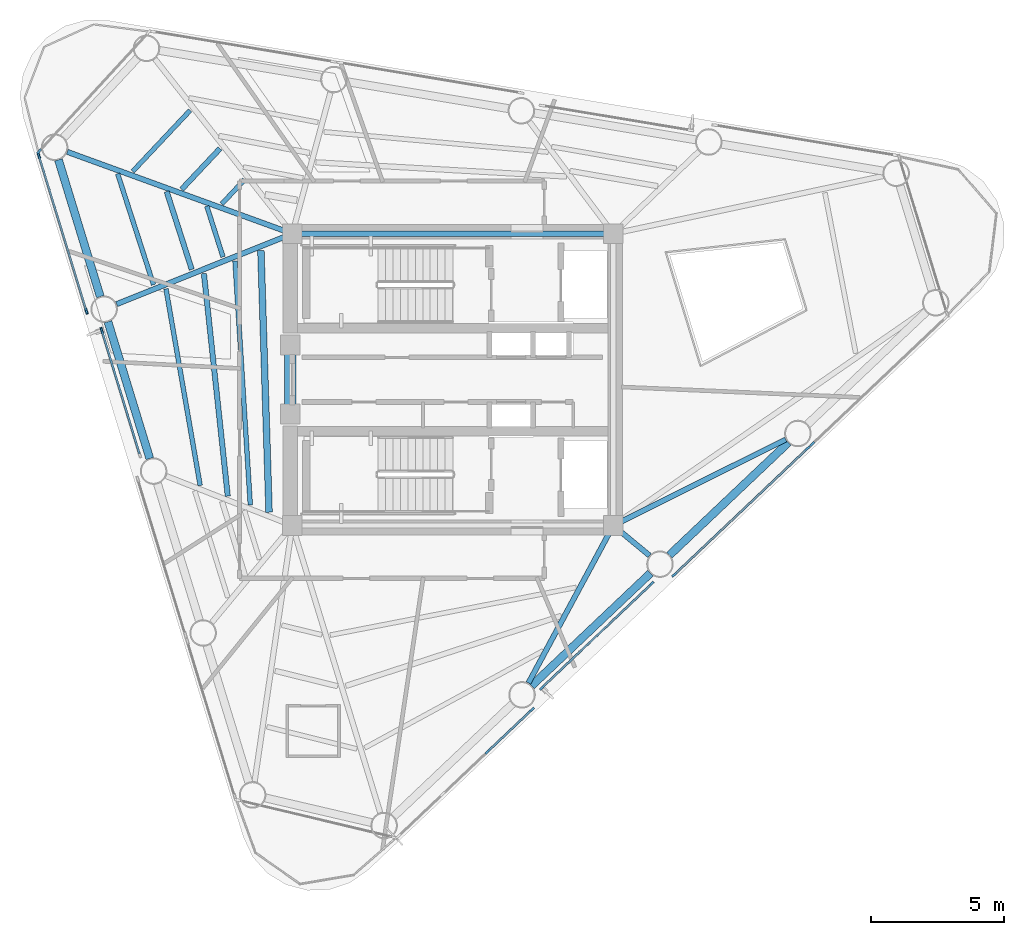
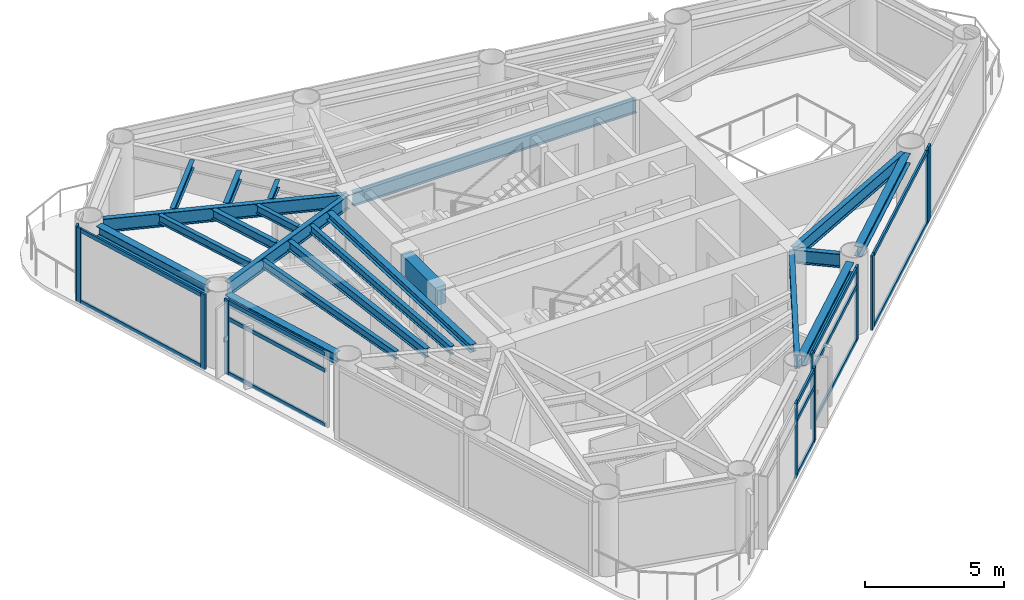
# One storey, part 2 of 9: 24 members, 21 beams, 7 elements without a shape of their own.
"""IFC4 building model written with IfcOpenShell, lengths in metres."""

from ifc_helpers import new_model, si_unit, direction, frame, origin, origin_2d, place, context, subcontext, project, spatial, rectangle, i_section, extrude, source, transform, mapped, material, layer, layer_set, material_profile, profile_set, type_object, element, aggregate, save


model = new_model("IFC4")

# Units and contexts
model_context = context("Model", 3, precision=1e-05, world=origin(), true_north=direction((0.0, 1.0)))
body_context = subcontext(model_context, "Body", "Model", "MODEL_VIEW")
ifc_project = project(units=[si_unit("LENGTHUNIT", "METRE"), si_unit("AREAUNIT", "SQUARE_METRE"), si_unit("VOLUMEUNIT", "CUBIC_METRE"), si_unit("PLANEANGLEUNIT", "RADIAN"), si_unit("MASSUNIT", "GRAM", prefix="KILO")], contexts=[model_context])

# Site, building, storey
site_placement = place(None, origin())
site = spatial("IfcSite", under=ifc_project, at=site_placement, CompositionType="ELEMENT")
building_placement = place(site_placement, origin())
building = spatial("IfcBuilding", under=site, at=building_placement, Name="Yunling Apex Tower", CompositionType="ELEMENT")
storey_placement = place(building_placement, frame((0.0, 0.0, 228.64990234375)))
storey = spatial("IfcBuildingStorey", under=building, at=storey_placement, Name="L55", CompositionType="ELEMENT", Elevation=228.64990234375)

# Beams
ifc_material_1 = material(Name="Concrete C40", Category="concrete")
ifc_material_profile_1 = material_profile(ifc_material_1, rectangle(XDim=0.449951171875, YDim=0.800048828125, at=origin_2d()))
ifc_profile_set_1 = profile_set([ifc_material_profile_1], Name="Concrete C40")
beam_type_1 = type_object("IfcBeamType", Name="BC-CPL-3", PredefinedType="BEAM", material=ifc_profile_set_1)
shared_shape_1 = source(origin(), body_context, "Body", "SweptSolid", [
    extrude(rectangle(XDim=0.449951171875, YDim=0.800048828125, at=origin_2d()), origin(), (0.0, 0.0, 1.0), 2.5),
])
beam_1_placement = place(storey_placement, frame((-6.125, -1.25, 2.820068359375), z_axis=(0.0, 1.0, 0.0), x_axis=(-1.0, 0.0, 0.0)))
element("IfcBeam", 1, at=beam_1_placement, inside=storey, type_object=beam_type_1, Name="L55 Core West Portal Coupling Beam", PredefinedType="BEAM", context=body_context, shape_type="MappedRepresentation", body=[
    mapped(shared_shape_1, transform((0.0, 0.0, 0.0), scale=1.0)),
])
ifc_material_2 = material(Name="Steel Q355B", Category="steel")
ifc_material_profile_2 = material_profile(ifc_material_2, i_section(OverallWidth=0.199951171875, OverallDepth=0.60009765625, WebThickness=0.010986328125, FlangeThickness=0.01708984375, FilletRadius=0.02197265625, at=origin_2d()))
ifc_profile_set_2 = profile_set([ifc_material_profile_2], Name="Steel Q355B")
beam_type_2 = type_object("IfcBeamType", Name="BG-PRI-5", PredefinedType="USERDEFINED", material=ifc_profile_set_2)
shared_shape_2 = source(origin(), body_context, "Body", "SweptSolid", [
    extrude(i_section(OverallWidth=0.199951171875, OverallDepth=0.60009765625, WebThickness=0.010986328125, FlangeThickness=0.01708984375, FilletRadius=0.02197265625, at=origin_2d()), origin(), (0.0, 0.0, 1.0), 11.7998046875),
])
beam_2_placement = place(storey_placement, frame((5.89990234375, 5.5, 2.920166015625), z_axis=(-1.0, 0.0, 0.0), x_axis=(0.0, -1.0, 0.0)))
element("IfcBeam", 2, at=beam_2_placement, inside=storey, type_object=beam_type_2, Name="L55 Core Ring Tie Beam 3", ObjectType="GIRDER", PredefinedType="USERDEFINED", context=body_context, shape_type="MappedRepresentation", body=[
    mapped(shared_shape_2, transform((0.0, 0.0, 0.0), scale=1.0)),
])
ifc_material_profile_3 = material_profile(ifc_material_2, i_section(OverallWidth=0.300048828125, OverallDepth=0.43994140625, WebThickness=0.010986328125, FlangeThickness=0.01806640625, FilletRadius=0.02197265625, at=origin_2d()))
ifc_profile_set_3 = profile_set([ifc_material_profile_3], Name="Steel Q355B")
beam_type_3 = type_object("IfcBeamType", Name="BP-SPN-3", PredefinedType="SPANDREL", material=ifc_profile_set_3)
shared_shape_3 = source(origin(), body_context, "Body", "SweptSolid", [
    extrude(i_section(OverallWidth=0.300048828125, OverallDepth=0.43994140625, WebThickness=0.010986328125, FlangeThickness=0.01806640625, FilletRadius=0.02197265625, at=origin_2d()), origin(), (0.0, 0.0, 1.0), 6.17333984375),
])
beam_3_placement = place(storey_placement, frame((8.16748046875, -6.6162109375, 3.0), z_axis=(0.725853952128, 0.687848849807, 0.0), x_axis=(-0.687848849807, 0.725853952128, 0.0)))
element("IfcBeam", 3, at=beam_3_placement, inside=storey, type_object=beam_type_3, Name="L55 Perimeter Spandrel Beam 3", PredefinedType="SPANDREL", context=body_context, shape_type="MappedRepresentation", body=[
    mapped(shared_shape_3, transform((0.0, 0.0, 0.0), scale=1.0)),
])
shared_shape_4 = source(origin(), body_context, "Body", "SweptSolid", [
    extrude(i_section(OverallWidth=0.300048828125, OverallDepth=0.43994140625, WebThickness=0.010986328125, FlangeThickness=0.01806640625, FilletRadius=0.02197265625, at=origin_2d()), origin(), (0.0, 0.0, 1.0), 6.173095703125),
])
beam_4_placement = place(storey_placement, frame((2.969482421875, -11.5419921875, 3.0), z_axis=(0.725873697531, 0.687828012829, 0.0), x_axis=(-0.687828012829, 0.725873697531, 0.0)))
element("IfcBeam", 4, at=beam_4_placement, inside=storey, type_object=beam_type_3, Name="L55 Perimeter Spandrel Beam 2", PredefinedType="SPANDREL", context=body_context, shape_type="MappedRepresentation", body=[
    mapped(shared_shape_4, transform((0.0, 0.0, 0.0), scale=1.0)),
])
shared_shape_5 = source(origin(), body_context, "Body", "SweptSolid", [
    extrude(i_section(OverallWidth=0.300048828125, OverallDepth=0.43994140625, WebThickness=0.010986328125, FlangeThickness=0.01806640625, FilletRadius=0.02197265625, at=origin_2d()), origin(), (0.0, 0.0, 1.0), 5.39404296875),
])
for number, where, z_axis, x_axis, name in (
    (5, (-14.863037109375, 8.286376953125, 3.0), (0.292393318538, -0.956298147689, 0.0), (0.956298147689, 0.292393318538, 0.0), "L55 Perimeter Spandrel Beam 11"),
    (6, (-12.997314453125, 2.183349609375, 3.0), (0.292380663083, -0.956302017072, 0.0), (0.956302017072, 0.292380663083, 0.0), "L55 Perimeter Spandrel Beam 12"),
):
    element("IfcBeam", number, at=place(storey_placement, frame(where, z_axis=z_axis, x_axis=x_axis)), inside=storey, type_object=beam_type_3, Name=name, PredefinedType="SPANDREL", context=body_context, shape_type="MappedRepresentation", body=[
        mapped(shared_shape_5, transform((0.0, 0.0, 0.0), scale=1.0)),
    ])
shared_shape_6 = source(origin(), body_context, "Body", "SweptSolid", [
    extrude(i_section(OverallWidth=0.199951171875, OverallDepth=0.60009765625, WebThickness=0.010986328125, FlangeThickness=0.01708984375, FilletRadius=0.02197265625, at=origin_2d()), origin(), (0.0, 0.0, 1.0), 6.661865234375),
])
beam_5_placement = place(storey_placement, frame((2.851806640625, -11.434814453125, 2.920166015625), z_axis=(0.474372979845, 0.88032396082, 0.0), x_axis=(-0.88032396082, 0.474372979845, 0.0)))
element("IfcBeam", 7, at=beam_5_placement, inside=storey, type_object=beam_type_2, Name="L55 Radial Primary Girder R02", ObjectType="GIRDER", PredefinedType="USERDEFINED", context=body_context, shape_type="MappedRepresentation", body=[
    mapped(shared_shape_6, transform((0.0, 0.0, 0.0), scale=1.0)),
])
shared_shape_7 = source(origin(), body_context, "Body", "SweptSolid", [
    extrude(i_section(OverallWidth=0.199951171875, OverallDepth=0.60009765625, WebThickness=0.010986328125, FlangeThickness=0.01708984375, FilletRadius=0.02197265625, at=origin_2d()), origin(), (0.0, 0.0, 1.0), 1.695556640625),
])
beam_6_placement = place(storey_placement, frame((7.417724609375, -6.632080078125, 2.920166015625), z_axis=(-0.770365054174, 0.637603076614, 0.0), x_axis=(-0.637603076614, -0.770365054174, 0.0)))
element("IfcBeam", 8, at=beam_6_placement, inside=storey, type_object=beam_type_2, Name="L55 Radial Primary Girder R03", ObjectType="GIRDER", PredefinedType="USERDEFINED", context=body_context, shape_type="MappedRepresentation", body=[
    mapped(shared_shape_7, transform((0.0, 0.0, 0.0), scale=1.0)),
])
shared_shape_8 = source(origin(), body_context, "Body", "SweptSolid", [
    extrude(i_section(OverallWidth=0.199951171875, OverallDepth=0.60009765625, WebThickness=0.010986328125, FlangeThickness=0.01708984375, FilletRadius=0.02197265625, at=origin_2d()), origin(), (0.0, 0.0, 1.0), 7.1865234375),
])
beam_7_placement = place(storey_placement, frame((12.552490234375, -2.256591796875, 2.920166015625), z_axis=(-0.894854827722, -0.446357297803, 0.0), x_axis=(0.446357297803, -0.894854827722, 0.0)))
element("IfcBeam", 9, at=beam_7_placement, inside=storey, type_object=beam_type_2, Name="L55 Radial Primary Girder R04", ObjectType="GIRDER", PredefinedType="USERDEFINED", context=body_context, shape_type="MappedRepresentation", body=[
    mapped(shared_shape_8, transform((0.0, 0.0, 0.0), scale=1.0)),
])
shared_shape_9 = source(origin(), body_context, "Body", "SweptSolid", [
    extrude(i_section(OverallWidth=0.199951171875, OverallDepth=0.60009765625, WebThickness=0.010986328125, FlangeThickness=0.01708984375, FilletRadius=0.02197265625, at=origin_2d()), origin(), (0.0, 0.0, 1.0), 8.943603515625),
])
beam_8_placement = place(storey_placement, frame((-14.530029296875, 8.5849609375, 2.920166015625), z_axis=(0.939745593755, -0.341874566205, 0.0), x_axis=(0.341874566205, 0.939745593755, 0.0)))
element("IfcBeam", 10, at=beam_8_placement, inside=storey, type_object=beam_type_2, Name="L55 Radial Primary Girder R11", ObjectType="GIRDER", PredefinedType="USERDEFINED", context=body_context, shape_type="MappedRepresentation", body=[
    mapped(shared_shape_9, transform((0.0, 0.0, 0.0), scale=1.0)),
])
shared_shape_10 = source(origin(), body_context, "Body", "SweptSolid", [
    extrude(i_section(OverallWidth=0.199951171875, OverallDepth=0.60009765625, WebThickness=0.010986328125, FlangeThickness=0.01708984375, FilletRadius=0.02197265625, at=origin_2d()), origin(), (0.0, 0.0, 1.0), 7.052734375),
])
beam_9_placement = place(storey_placement, frame((-12.670166015625, 2.8447265625, 2.920166015625), z_axis=(0.928127733356, 0.372261884399, 0.0), x_axis=(-0.372261884399, 0.928127733356, 0.0)))
element("IfcBeam", 11, at=beam_9_placement, inside=storey, type_object=beam_type_2, Name="L55 Radial Primary Girder R12", ObjectType="GIRDER", PredefinedType="USERDEFINED", context=body_context, shape_type="MappedRepresentation", body=[
    mapped(shared_shape_10, transform((0.0, 0.0, 0.0), scale=1.0)),
])
ifc_material_profile_4 = material_profile(ifc_material_2, i_section(OverallWidth=0.199951171875, OverallDepth=0.39990234375, WebThickness=0.008056640625, FlangeThickness=0.012939453125, FilletRadius=0.01611328125, at=origin_2d()))
ifc_profile_set_4 = profile_set([ifc_material_profile_4], Name="Steel Q355B")
beam_type_4 = type_object("IfcBeamType", Name="BS-SEC-4", PredefinedType="BEAM", material=ifc_profile_set_4)
shared_shape_11 = source(origin(), body_context, "Body", "SweptSolid", [
    extrude(i_section(OverallWidth=0.199951171875, OverallDepth=0.39990234375, WebThickness=0.008056640625, FlangeThickness=0.012939453125, FilletRadius=0.01611328125, at=origin_2d()), origin(), (0.0, 0.0, 1.0), 2.108154296875),
])
beam_10_placement = place(storey_placement, frame((-8.774169921875, 8.708984375, 3.02001953125), z_axis=(-0.684880497063, -0.728655408779, 0.0), x_axis=(0.728655408779, -0.684880497063, 0.0)))
element("IfcBeam", 12, at=beam_10_placement, inside=storey, type_object=beam_type_4, Name="L55 Composite Floor Beam BS-10", PredefinedType="BEAM", context=body_context, shape_type="MappedRepresentation", body=[
    mapped(shared_shape_11, transform((0.0, 0.0, 0.0), scale=1.0)),
])
ifc_material_profile_5 = material_profile(ifc_material_2, i_section(OverallWidth=0.175048828125, OverallDepth=0.35009765625, WebThickness=0.007080078125, FlangeThickness=0.010986328125, FilletRadius=0.013916015625, at=origin_2d()))
ifc_profile_set_5 = profile_set([ifc_material_profile_5], Name="Steel Q355B")
beam_type_5 = type_object("IfcBeamType", Name="BJ-JST-1", PredefinedType="JOIST", material=ifc_profile_set_5)
shared_shape_12 = source(origin(), body_context, "Body", "SweptSolid", [
    extrude(i_section(OverallWidth=0.175048828125, OverallDepth=0.35009765625, WebThickness=0.007080078125, FlangeThickness=0.010986328125, FilletRadius=0.013916015625, at=origin_2d()), origin(), (0.0, 0.0, 1.0), 3.157470703125),
])
beam_11_placement = place(storey_placement, frame((-9.903076171875, 10.14453125, 3.045166015625), z_axis=(-0.685403289292, -0.728163670494, 0.0), x_axis=(0.728163670494, -0.685403289292, 0.0)))
element("IfcBeam", 13, at=beam_11_placement, inside=storey, type_object=beam_type_5, Name="L55 Composite Floor Joist BJ1-10", PredefinedType="JOIST", context=body_context, shape_type="MappedRepresentation", body=[
    mapped(shared_shape_12, transform((0.0, 0.0, 0.0), scale=1.0)),
])
shared_shape_13 = source(origin(), body_context, "Body", "SweptSolid", [
    extrude(i_section(OverallWidth=0.175048828125, OverallDepth=0.35009765625, WebThickness=0.007080078125, FlangeThickness=0.010986328125, FilletRadius=0.013916015625, at=origin_2d()), origin(), (0.0, 0.0, 1.0), 1.249755859375),
])
beam_12_placement = place(storey_placement, frame((-7.8505859375, 7.5341796875, 3.045166015625), z_axis=(-0.683980120085, -0.729500647929, 0.0), x_axis=(0.729500647929, -0.683980120085, 0.0)))
element("IfcBeam", 14, at=beam_12_placement, inside=storey, type_object=beam_type_5, Name="L55 Composite Floor Joist BJ3-10", PredefinedType="JOIST", context=body_context, shape_type="MappedRepresentation", body=[
    mapped(shared_shape_13, transform((0.0, 0.0, 0.0), scale=1.0)),
])
shared_shape_14 = source(origin(), body_context, "Body", "SweptSolid", [
    extrude(i_section(OverallWidth=0.199951171875, OverallDepth=0.39990234375, WebThickness=0.008056640625, FlangeThickness=0.012939453125, FilletRadius=0.01611328125, at=origin_2d()), origin(), (0.0, 0.0, 1.0), 3.083251953125),
])
beam_13_placement = place(storey_placement, frame((-10.782958984375, 7.08740234375, 3.02001953125), z_axis=(0.306209104811, -0.951964276709, 0.0), x_axis=(0.951964276709, 0.306209104811, 0.0)))
element("IfcBeam", 15, at=beam_13_placement, inside=storey, type_object=beam_type_4, Name="L55 Composite Floor Beam BS-11", PredefinedType="BEAM", context=body_context, shape_type="MappedRepresentation", body=[
    mapped(shared_shape_14, transform((0.0, 0.0, 0.0), scale=1.0)),
])
shared_shape_15 = source(origin(), body_context, "Body", "SweptSolid", [
    extrude(i_section(OverallWidth=0.175048828125, OverallDepth=0.35009765625, WebThickness=0.007080078125, FlangeThickness=0.010986328125, FilletRadius=0.013916015625, at=origin_2d()), origin(), (0.0, 0.0, 1.0), 4.3984375),
])
beam_14_placement = place(storey_placement, frame((-12.6318359375, 7.760009765625, 3.045166015625), z_axis=(0.307505485962, -0.951546307913, 0.0), x_axis=(0.951546307913, 0.307505485962, 0.0)))
element("IfcBeam", 16, at=beam_14_placement, inside=storey, type_object=beam_type_5, Name="L55 Composite Floor Joist BJ1-11", PredefinedType="JOIST", context=body_context, shape_type="MappedRepresentation", body=[
    mapped(shared_shape_15, transform((0.0, 0.0, 0.0), scale=1.0)),
])
shared_shape_16 = source(origin(), body_context, "Body", "SweptSolid", [
    extrude(i_section(OverallWidth=0.175048828125, OverallDepth=0.35009765625, WebThickness=0.007080078125, FlangeThickness=0.010986328125, FilletRadius=0.013916015625, at=origin_2d()), origin(), (0.0, 0.0, 1.0), 2.0068359375),
])
beam_15_placement = place(storey_placement, frame((-9.2705078125, 6.536865234375, 3.045166015625), z_axis=(0.304011984445, -0.95266820736, 0.0), x_axis=(0.95266820736, 0.304011984445, 0.0)))
element("IfcBeam", 17, at=beam_15_placement, inside=storey, type_object=beam_type_5, Name="L55 Composite Floor Joist BJ3-11", PredefinedType="JOIST", context=body_context, shape_type="MappedRepresentation", body=[
    mapped(shared_shape_16, transform((0.0, 0.0, 0.0), scale=1.0)),
])
shared_shape_17 = source(origin(), body_context, "Body", "SweptSolid", [
    extrude(i_section(OverallWidth=0.199951171875, OverallDepth=0.39990234375, WebThickness=0.008056640625, FlangeThickness=0.012939453125, FilletRadius=0.01611328125, at=origin_2d()), origin(), (0.0, 0.0, 1.0), 8.439208984375),
])
beam_16_placement = place(storey_placement, frame((-9.380126953125, 3.998291015625, 3.02001953125), z_axis=(0.106576025189, -0.994304556389, 0.0), x_axis=(0.994304556389, 0.106576025189, 0.0)))
element("IfcBeam", 18, at=beam_16_placement, inside=storey, type_object=beam_type_4, Name="L55 Composite Floor Beam BS-12", PredefinedType="BEAM", context=body_context, shape_type="MappedRepresentation", body=[
    mapped(shared_shape_17, transform((0.0, 0.0, 0.0), scale=1.0)),
])
shared_shape_18 = source(origin(), body_context, "Body", "SweptSolid", [
    extrude(i_section(OverallWidth=0.175048828125, OverallDepth=0.35009765625, WebThickness=0.007080078125, FlangeThickness=0.010986328125, FilletRadius=0.013916015625, at=origin_2d()), origin(), (0.0, 0.0, 1.0), 7.523681640625),
])
beam_17_placement = place(storey_placement, frame((-10.809814453125, 3.42236328125, 3.045166015625), z_axis=(0.171367194042, -0.985207229372, 0.0), x_axis=(0.985207229372, 0.171367194042, 0.0)))
element("IfcBeam", 19, at=beam_17_placement, inside=storey, type_object=beam_type_5, Name="L55 Composite Floor Joist BJ1-12", PredefinedType="JOIST", context=body_context, shape_type="MappedRepresentation", body=[
    mapped(shared_shape_18, transform((0.0, 0.0, 0.0), scale=1.0)),
])
shared_shape_19 = source(origin(), body_context, "Body", "SweptSolid", [
    extrude(i_section(OverallWidth=0.175048828125, OverallDepth=0.35009765625, WebThickness=0.007080078125, FlangeThickness=0.010986328125, FilletRadius=0.013916015625, at=origin_2d()), origin(), (0.0, 0.0, 1.0), 9.211669921875),
])
beam_18_placement = place(storey_placement, frame((-8.208984375, 4.470458984375, 3.045166015625), z_axis=(0.062680234959, -0.998033660828, 0.0), x_axis=(0.998033660828, 0.062680234959, 0.0)))
element("IfcBeam", 20, at=beam_18_placement, inside=storey, type_object=beam_type_5, Name="L55 Composite Floor Joist BJ3-12", PredefinedType="JOIST", context=body_context, shape_type="MappedRepresentation", body=[
    mapped(shared_shape_19, transform((0.0, 0.0, 0.0), scale=1.0)),
])
ifc_material_profile_6 = material_profile(ifc_material_2, i_section(OverallWidth=0.25, OverallDepth=0.340087890625, WebThickness=0.009033203125, FlangeThickness=0.013916015625, FilletRadius=0.01806640625, at=origin_2d()))
ifc_profile_set_6 = profile_set([ifc_material_profile_6], Name="Steel Q355B")
beam_type_6 = type_object("IfcBeamType", Name="BJ-JST-2", PredefinedType="JOIST", material=ifc_profile_set_6)
shared_shape_20 = source(origin(), body_context, "Body", "SweptSolid", [
    extrude(i_section(OverallWidth=0.25, OverallDepth=0.340087890625, WebThickness=0.009033203125, FlangeThickness=0.013916015625, FilletRadius=0.01806640625, at=origin_2d()), origin(), (0.0, 0.0, 1.0), 9.867431640625),
])
beam_19_placement = place(storey_placement, frame((-7.232177734375, 4.864013671875, 3.050048828125), z_axis=(0.03115055603, -0.999514703673, 0.0), x_axis=(0.999514703673, 0.03115055603, 0.0)))
element("IfcBeam", 21, at=beam_19_placement, inside=storey, type_object=beam_type_6, Name="L55 Composite Floor Joist BJ2-12", PredefinedType="JOIST", context=body_context, shape_type="MappedRepresentation", body=[
    mapped(shared_shape_20, transform((0.0, 0.0, 0.0), scale=1.0)),
])

# Curtain wall, members
ifc_material_3 = material(Name="Bronze anodised aluminium", Category="aluminium")
ifc_layer = layer(ifc_material_3, 0.219970703125)
ifc_layer_set = layer_set([ifc_layer], Name="Bronze anodised aluminium")
curtain_wall_type = type_object("IfcCurtainWallType", Name="CW-SYS-4", PredefinedType="NOTDEFINED", material=ifc_layer_set)
curtain_wall_1_placement = place(storey_placement, origin())
curtain_wall_1 = element("IfcCurtainWall", 22, at=curtain_wall_1_placement, inside=storey, type_object=curtain_wall_type, Name="CW-L55-F1-B1", PredefinedType="NOTDEFINED")
ifc_material_profile_7 = material_profile(ifc_material_3, rectangle(XDim=0.080078125, YDim=0.219970703125, at=origin_2d()))
ifc_profile_set_7 = profile_set([ifc_material_profile_7], Name="Bronze anodised aluminium")
member_type_1 = type_object("IfcMemberType", Name="CW-MUL-4", PredefinedType="MULLION", material=ifc_profile_set_7)
shared_shape_21 = source(origin(), body_context, "Body", "SweptSolid", [
    extrude(rectangle(XDim=0.080078125, YDim=0.219970703125, at=origin_2d()), origin(), (0.0, 0.0, 1.0), 3.31982421875),
])
member_1_placement = place(storey_placement, frame((1.312744140625, -14.021240234375, -0.0498046875), z_axis=(0.0, 0.0, 1.0), x_axis=(-0.687848040467, 0.72585471909, 0.0)))
member_1 = element("IfcMember", 23, at=member_1_placement, type_object=member_type_1, Name="CW-SYS-4 mullion 3", PredefinedType="MULLION", context=body_context, shape_type="MappedRepresentation", body=[
    mapped(shared_shape_21, transform((0.0, 0.0, 0.0), scale=1.0)),
])
member_2_placement = place(storey_placement, frame((2.977783203125, -12.443603515625, -0.0498046875), z_axis=(0.0, 0.0, 1.0), x_axis=(-0.687848040467, 0.72585471909, 0.0)))
member_2 = element("IfcMember", 24, at=member_2_placement, type_object=member_type_1, Name="CW-SYS-4 mullion 4", PredefinedType="MULLION", context=body_context, shape_type="MappedRepresentation", body=[
    mapped(shared_shape_21, transform((0.0, 0.0, 0.0), scale=1.0)),
])

curtain_wall_2_placement = place(storey_placement, origin())
curtain_wall_2 = element("IfcCurtainWall", 25, at=curtain_wall_2_placement, inside=storey, type_object=curtain_wall_type, Name="CW-L55-F1-B2", PredefinedType="NOTDEFINED")
member_3_placement = place(storey_placement, frame((3.367919921875, -11.605224609375, -0.0498046875), z_axis=(0.0, 0.0, 1.0), x_axis=(-0.687854406681, 0.725848686167, 0.0)))
member_3 = element("IfcMember", 26, at=member_3_placement, type_object=member_type_1, Name="CW-SYS-4 mullion 1", PredefinedType="MULLION", context=body_context, shape_type="MappedRepresentation", body=[
    mapped(shared_shape_21, transform((0.0, 0.0, 0.0), scale=1.0)),
])
member_4_placement = place(storey_placement, frame((7.491943359375, -7.697265625, -0.0498046875), z_axis=(0.0, 0.0, 1.0), x_axis=(-0.687854406681, 0.725848686167, 0.0)))
member_4 = element("IfcMember", 27, at=member_4_placement, type_object=member_type_1, Name="CW-SYS-4 mullion 2", PredefinedType="MULLION", context=body_context, shape_type="MappedRepresentation", body=[
    mapped(shared_shape_21, transform((0.0, 0.0, 0.0), scale=1.0)),
])

curtain_wall_3_placement = place(storey_placement, origin())
curtain_wall_3 = element("IfcCurtainWall", 28, at=curtain_wall_3_placement, inside=storey, type_object=curtain_wall_type, Name="CW-L55-F1-B3", PredefinedType="NOTDEFINED")
member_5_placement = place(storey_placement, frame((8.35009765625, -7.3525390625, -0.0498046875), z_axis=(0.0, 0.0, 1.0), x_axis=(-0.687848040467, 0.72585471909, 0.0)))
member_5 = element("IfcMember", 29, at=member_5_placement, type_object=member_type_1, Name="CW-SYS-4 mullion 1", PredefinedType="MULLION", context=body_context, shape_type="MappedRepresentation", body=[
    mapped(shared_shape_21, transform((0.0, 0.0, 0.0), scale=1.0)),
])
member_6_placement = place(storey_placement, frame((13.3740234375, -2.591552734375, -0.0498046875), z_axis=(0.0, 0.0, 1.0), x_axis=(-0.687848040467, 0.72585471909, 0.0)))
member_6 = element("IfcMember", 30, at=member_6_placement, type_object=member_type_1, Name="CW-SYS-4 mullion 2", PredefinedType="MULLION", context=body_context, shape_type="MappedRepresentation", body=[
    mapped(shared_shape_21, transform((0.0, 0.0, 0.0), scale=1.0)),
])

# Curtain wall, member
curtain_wall_4_placement = place(storey_placement, origin())
curtain_wall_4 = element("IfcCurtainWall", 31, at=curtain_wall_4_placement, inside=storey, type_object=curtain_wall_type, Name="CW-L55-F1-B4", PredefinedType="NOTDEFINED")
member_7_placement = place(storey_placement, frame((13.54833984375, -2.426513671875, -0.0498046875), z_axis=(0.0, 0.0, 1.0), x_axis=(-0.687848040467, 0.72585471909, 0.0)))
member_7 = element("IfcMember", 32, at=member_7_placement, type_object=member_type_1, Name="CW-SYS-4 mullion 1", PredefinedType="MULLION", context=body_context, shape_type="MappedRepresentation", body=[
    mapped(shared_shape_21, transform((0.0, 0.0, 0.0), scale=1.0)),
])
aggregate(curtain_wall_4, [member_7])

curtain_wall_5_placement = place(storey_placement, origin())
curtain_wall_5 = element("IfcCurtainWall", 33, at=curtain_wall_5_placement, inside=storey, type_object=curtain_wall_type, Name="CW-L55-CRN2", PredefinedType="NOTDEFINED")
member_8_placement = place(storey_placement, frame((-15.592529296875, 8.60107421875, -0.0498046875), z_axis=(0.0, 0.0, 1.0), x_axis=(0.736133922549, -0.676835909266, 0.0)))
member_8 = element("IfcMember", 34, at=member_8_placement, type_object=member_type_1, Name="CW-SYS-4 mullion 2", PredefinedType="MULLION", context=body_context, shape_type="MappedRepresentation", body=[
    mapped(shared_shape_21, transform((0.0, 0.0, 0.0), scale=1.0)),
])
aggregate(curtain_wall_5, [member_8])

# Curtain wall, members
curtain_wall_6_placement = place(storey_placement, origin())
curtain_wall_6 = element("IfcCurtainWall", 35, at=curtain_wall_6_placement, inside=storey, type_object=curtain_wall_type, Name="CW-L55-F3-B1", PredefinedType="NOTDEFINED")
member_9_placement = place(storey_placement, frame((-15.603515625, 8.450927734375, -0.0498046875), z_axis=(0.0, 0.0, 1.0), x_axis=(0.956304646078, 0.29237206414, 0.0)))
member_9 = element("IfcMember", 36, at=member_9_placement, type_object=member_type_1, Name="CW-SYS-4 mullion 1", PredefinedType="MULLION", context=body_context, shape_type="MappedRepresentation", body=[
    mapped(shared_shape_21, transform((0.0, 0.0, 0.0), scale=1.0)),
])
member_10_placement = place(storey_placement, frame((-13.807861328125, 2.577392578125, -0.0498046875), z_axis=(0.0, 0.0, 1.0), x_axis=(0.956304646078, 0.29237206414, 0.0)))
member_10 = element("IfcMember", 37, at=member_10_placement, type_object=member_type_1, Name="CW-SYS-4 mullion 2", PredefinedType="MULLION", context=body_context, shape_type="MappedRepresentation", body=[
    mapped(shared_shape_21, transform((0.0, 0.0, 0.0), scale=1.0)),
])

# Curtain wall, member
curtain_wall_7_placement = place(storey_placement, origin())
curtain_wall_7 = element("IfcCurtainWall", 38, at=curtain_wall_7_placement, inside=storey, type_object=curtain_wall_type, Name="CW-L55-F3-B2", PredefinedType="NOTDEFINED")
member_11_placement = place(storey_placement, frame((-13.231201171875, 1.8544921875, -0.0498046875), z_axis=(0.0, 0.0, 1.0), x_axis=(0.956304345474, 0.29237304737, 0.0)))
member_11 = element("IfcMember", 39, at=member_11_placement, type_object=member_type_1, Name="CW-SYS-4 mullion 1", PredefinedType="MULLION", context=body_context, shape_type="MappedRepresentation", body=[
    mapped(shared_shape_21, transform((0.0, 0.0, 0.0), scale=1.0)),
])

# Member
ifc_material_profile_8 = material_profile(ifc_material_3, rectangle(XDim=0.080078125, YDim=0.169921875, at=origin_2d()))
ifc_profile_set_8 = profile_set([ifc_material_profile_8], Name="Bronze anodised aluminium")
member_type_2 = type_object("IfcMemberType", Name="CW-TRN-4", PredefinedType="USERDEFINED", material=ifc_profile_set_8)
shared_shape_22 = source(origin(), body_context, "Body", "SweptSolid", [
    extrude(rectangle(XDim=0.080078125, YDim=0.169921875, at=origin_2d()), origin(), (0.0, 0.0, 1.0), 2.2216796875),
])
member_12_placement = place(storey_placement, frame((1.3388671875, -13.99658203125, 0.0400390625), z_axis=(0.725808289903, 0.687897031763, 0.0), x_axis=(-0.687897031763, 0.725808289903, 0.0)))
member_12 = element("IfcMember", 40, at=member_12_placement, type_object=member_type_2, Name="CW-SYS-4 transom 3.1", ObjectType="TRANSOM", PredefinedType="USERDEFINED", context=body_context, shape_type="MappedRepresentation", body=[
    mapped(shared_shape_22, transform((0.0, 0.0, 0.0), scale=1.0)),
])

member_13_placement = place(storey_placement, frame((1.3388671875, -13.99658203125, 2.447265625), z_axis=(0.725808289903, 0.687897031763, 0.0), x_axis=(-0.687897031763, 0.725808289903, 0.0)))
member_13 = element("IfcMember", 41, at=member_13_placement, type_object=member_type_2, Name="CW-SYS-4 transom 3.2", ObjectType="TRANSOM", PredefinedType="USERDEFINED", context=body_context, shape_type="MappedRepresentation", body=[
    mapped(shared_shape_22, transform((0.0, 0.0, 0.0), scale=1.0)),
])

member_14_placement = place(storey_placement, frame((1.3388671875, -13.99658203125, 3.18017578125), z_axis=(0.725808289903, 0.687897031763, 0.0), x_axis=(-0.687897031763, 0.725808289903, 0.0)))
member_14 = element("IfcMember", 42, at=member_14_placement, type_object=member_type_2, Name="CW-SYS-4 transom 3.3", ObjectType="TRANSOM", PredefinedType="USERDEFINED", context=body_context, shape_type="MappedRepresentation", body=[
    mapped(shared_shape_22, transform((0.0, 0.0, 0.0), scale=1.0)),
])

aggregate(curtain_wall_1, [member_1, member_2, member_12, member_13, member_14])

shared_shape_23 = source(origin(), body_context, "Body", "SweptSolid", [
    extrude(rectangle(XDim=0.080078125, YDim=0.169921875, at=origin_2d()), origin(), (0.0, 0.0, 1.0), 5.609619140625),
])
member_15_placement = place(storey_placement, frame((3.39404296875, -11.580322265625, 0.0400390625), z_axis=(0.725870335167, 0.687831561157, 0.0), x_axis=(-0.687831561157, 0.725870335167, 0.0)))
member_15 = element("IfcMember", 43, at=member_15_placement, type_object=member_type_2, Name="CW-SYS-4 transom 1.1", ObjectType="TRANSOM", PredefinedType="USERDEFINED", context=body_context, shape_type="MappedRepresentation", body=[
    mapped(shared_shape_23, transform((0.0, 0.0, 0.0), scale=1.0)),
])

member_16_placement = place(storey_placement, frame((3.39404296875, -11.580322265625, 2.447265625), z_axis=(0.725870335167, 0.687831561157, 0.0), x_axis=(-0.687831561157, 0.725870335167, 0.0)))
member_16 = element("IfcMember", 44, at=member_16_placement, type_object=member_type_2, Name="CW-SYS-4 transom 1.2", ObjectType="TRANSOM", PredefinedType="USERDEFINED", context=body_context, shape_type="MappedRepresentation", body=[
    mapped(shared_shape_23, transform((0.0, 0.0, 0.0), scale=1.0)),
])

member_17_placement = place(storey_placement, frame((3.39404296875, -11.580322265625, 3.18017578125), z_axis=(0.725870335167, 0.687831561157, 0.0), x_axis=(-0.687831561157, 0.725870335167, 0.0)))
member_17 = element("IfcMember", 45, at=member_17_placement, type_object=member_type_2, Name="CW-SYS-4 transom 1.3", ObjectType="TRANSOM", PredefinedType="USERDEFINED", context=body_context, shape_type="MappedRepresentation", body=[
    mapped(shared_shape_23, transform((0.0, 0.0, 0.0), scale=1.0)),
])

aggregate(curtain_wall_2, [member_3, member_4, member_15, member_16, member_17])

shared_shape_24 = source(origin(), body_context, "Body", "SweptSolid", [
    extrude(rectangle(XDim=0.080078125, YDim=0.169921875, at=origin_2d()), origin(), (0.0, 0.0, 1.0), 6.849365234375),
])
member_18_placement = place(storey_placement, frame((8.376220703125, -7.32763671875, 0.0400390625), z_axis=(0.725867443411, 0.687834612822, 0.0), x_axis=(-0.687834612822, 0.725867443411, 0.0)))
member_18 = element("IfcMember", 46, at=member_18_placement, type_object=member_type_2, Name="CW-SYS-4 transom 1.1", ObjectType="TRANSOM", PredefinedType="USERDEFINED", context=body_context, shape_type="MappedRepresentation", body=[
    mapped(shared_shape_24, transform((0.0, 0.0, 0.0), scale=1.0)),
])

member_19_placement = place(storey_placement, frame((8.376220703125, -7.32763671875, 3.18017578125), z_axis=(0.725867443411, 0.687834612822, 0.0), x_axis=(-0.687834612822, 0.725867443411, 0.0)))
member_19 = element("IfcMember", 47, at=member_19_placement, type_object=member_type_2, Name="CW-SYS-4 transom 1.2", ObjectType="TRANSOM", PredefinedType="USERDEFINED", context=body_context, shape_type="MappedRepresentation", body=[
    mapped(shared_shape_24, transform((0.0, 0.0, 0.0), scale=1.0)),
])

aggregate(curtain_wall_3, [member_5, member_6, member_18, member_19])

shared_shape_25 = source(origin(), body_context, "Body", "SweptSolid", [
    extrude(rectangle(XDim=0.080078125, YDim=0.169921875, at=origin_2d()), origin(), (0.0, 0.0, 1.0), 6.06982421875),
])
member_20_placement = place(storey_placement, frame((-15.593017578125, 8.41650390625, 0.0400390625), z_axis=(0.292369766892, -0.956305348415, 0.0), x_axis=(0.956305348415, 0.292369766892, 0.0)))
member_20 = element("IfcMember", 48, at=member_20_placement, type_object=member_type_2, Name="CW-SYS-4 transom 1.1", ObjectType="TRANSOM", PredefinedType="USERDEFINED", context=body_context, shape_type="MappedRepresentation", body=[
    mapped(shared_shape_25, transform((0.0, 0.0, 0.0), scale=1.0)),
])

member_21_placement = place(storey_placement, frame((-15.593017578125, 8.41650390625, 3.18017578125), z_axis=(0.292369766892, -0.956305348415, 0.0), x_axis=(0.956305348415, 0.292369766892, 0.0)))
member_21 = element("IfcMember", 49, at=member_21_placement, type_object=member_type_2, Name="CW-SYS-4 transom 1.2", ObjectType="TRANSOM", PredefinedType="USERDEFINED", context=body_context, shape_type="MappedRepresentation", body=[
    mapped(shared_shape_25, transform((0.0, 0.0, 0.0), scale=1.0)),
])

aggregate(curtain_wall_6, [member_9, member_10, member_20, member_21])

shared_shape_26 = source(origin(), body_context, "Body", "SweptSolid", [
    extrude(rectangle(XDim=0.080078125, YDim=0.169921875, at=origin_2d()), origin(), (0.0, 0.0, 1.0), 4.829833984375),
])
member_22_placement = place(storey_placement, frame((-13.220703125, 1.820068359375, 0.0400390625), z_axis=(0.292366214736, -0.956306434403, 0.0), x_axis=(0.956306434403, 0.292366214736, 0.0)))
member_22 = element("IfcMember", 50, at=member_22_placement, type_object=member_type_2, Name="CW-SYS-4 transom 1.1", ObjectType="TRANSOM", PredefinedType="USERDEFINED", context=body_context, shape_type="MappedRepresentation", body=[
    mapped(shared_shape_26, transform((0.0, 0.0, 0.0), scale=1.0)),
])

member_23_placement = place(storey_placement, frame((-13.220703125, 1.820068359375, 2.447265625), z_axis=(0.292366214736, -0.956306434403, 0.0), x_axis=(0.956306434403, 0.292366214736, 0.0)))
member_23 = element("IfcMember", 51, at=member_23_placement, type_object=member_type_2, Name="CW-SYS-4 transom 1.2", ObjectType="TRANSOM", PredefinedType="USERDEFINED", context=body_context, shape_type="MappedRepresentation", body=[
    mapped(shared_shape_26, transform((0.0, 0.0, 0.0), scale=1.0)),
])

member_24_placement = place(storey_placement, frame((-13.220703125, 1.820068359375, 3.18017578125), z_axis=(0.292366214736, -0.956306434403, 0.0), x_axis=(0.956306434403, 0.292366214736, 0.0)))
member_24 = element("IfcMember", 52, at=member_24_placement, type_object=member_type_2, Name="CW-SYS-4 transom 1.3", ObjectType="TRANSOM", PredefinedType="USERDEFINED", context=body_context, shape_type="MappedRepresentation", body=[
    mapped(shared_shape_26, transform((0.0, 0.0, 0.0), scale=1.0)),
])

aggregate(curtain_wall_7, [member_11, member_22, member_23, member_24])

save(model, "model.ifc")
